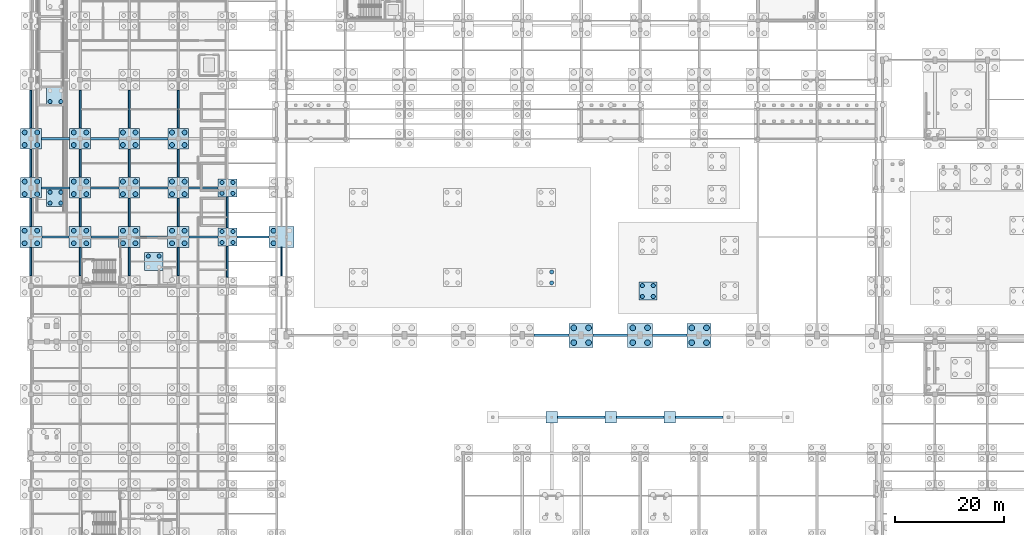
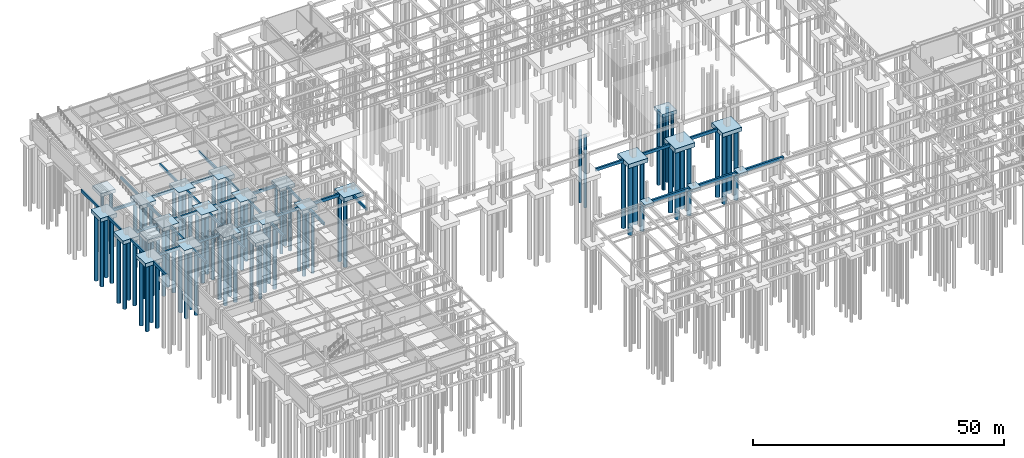
# One storey, part 4 of 33: 84 piles, 62 footings.
"""IFC4 building model written with IfcOpenShell, lengths in metres."""

from ifc_helpers import new_model, si_unit, direction, frame, origin, origin_2d, place, context, subcontext, project, spatial, rectangle, circle, extrude, material, material_profile, profile_set, type_object, element, save


model = new_model("IFC4")

# Units and contexts
model_context = context("Model", 3, precision=1e-05, world=origin(), true_north=direction((0.0, 1.0)))
body_context = subcontext(model_context, "Body", "Model", "MODEL_VIEW")
ifc_project = project(units=[si_unit("LENGTHUNIT", "METRE"), si_unit("AREAUNIT", "SQUARE_METRE"), si_unit("VOLUMEUNIT", "CUBIC_METRE"), si_unit("PLANEANGLEUNIT", "RADIAN"), si_unit("MASSUNIT", "GRAM", prefix="KILO")], contexts=[model_context])

# Site, building, storey
site_placement = place(None, origin())
site = spatial("IfcSite", under=ifc_project, at=site_placement, CompositionType="ELEMENT")
building_placement = place(site_placement, origin())
building = spatial("IfcBuilding", under=site, at=building_placement, Name="Suirenkawa Promenade Aquatics Centre", CompositionType="ELEMENT")
storey_placement = place(building_placement, frame((0.0, 0.0, -4.800048828125)))
storey = spatial("IfcBuildingStorey", under=building, at=storey_placement, Name="B1", CompositionType="ELEMENT", Elevation=-4.800048828125)

# Footings
ifc_material = material(Name="Concrete M35", Category="concrete")
footing_type_1 = type_object("IfcFootingType", Name="FT-GB-350x650", PredefinedType="FOOTING_BEAM", material=ifc_material)
for number, where, z_axis, x_axis, name in (
    (1, (0.0, 63.89990234375, -0.64990234375), (0.0, 0.0, 1.0), (0.0, 1.0, 0.0), "Ground tie beam GB-06 GB-0169"),
    (2, (0.0, 72.89990234375, -0.64990234375), (0.0, 0.0, 1.0), (0.0, 1.0, 0.0), "Ground tie beam GB-06 GB-0170"),
    (3, (0.0, 81.89990234375, -0.64990234375), (0.0, 0.0, 1.0), (0.0, 1.0, 0.0), "Ground tie beam GB-06 GB-0171"),
):
    element("IfcFooting", number, at=place(storey_placement, frame(where, z_axis=z_axis, x_axis=x_axis)), inside=storey, type_object=footing_type_1, Name=name, PredefinedType="FOOTING_BEAM", context=body_context, shape_type="SweptSolid", body=[
        extrude(rectangle(XDim=5.199951171875, YDim=0.35009765625, at=origin_2d()), origin(), (0.0, 0.0, 1.0), 0.64990234375),
    ])
footing_1_placement = place(storey_placement, frame((0.0, 91.800048828125, -0.64990234375), z_axis=(0.0, 0.0, 1.0), x_axis=(0.0, 1.0, 0.0)))
element("IfcFooting", 4, at=footing_1_placement, inside=storey, type_object=footing_type_1, Name="Ground tie beam GB-06 GB-0172", PredefinedType="FOOTING_BEAM", context=body_context, shape_type="SweptSolid", body=[
    extrude(rectangle(XDim=7.0, YDim=0.35009765625, at=origin_2d()), origin(), (0.0, 0.0, 1.0), 0.64990234375),
])
for number, where, z_axis, x_axis, name in (
    (5, (9.0, 63.89990234375, -0.64990234375), (0.0, 0.0, 1.0), (0.0, 1.0, 0.0), "Ground tie beam GB-06 GB-0182"),
    (6, (9.0, 72.89990234375, -0.64990234375), (0.0, 0.0, 1.0), (0.0, 1.0, 0.0), "Ground tie beam GB-06 GB-0183"),
    (7, (9.0, 81.89990234375, -0.64990234375), (0.0, 0.0, 1.0), (0.0, 1.0, 0.0), "Ground tie beam GB-06 GB-0184"),
):
    element("IfcFooting", number, at=place(storey_placement, frame(where, z_axis=z_axis, x_axis=x_axis)), inside=storey, type_object=footing_type_1, Name=name, PredefinedType="FOOTING_BEAM", context=body_context, shape_type="SweptSolid", body=[
        extrude(rectangle(XDim=5.199951171875, YDim=0.35009765625, at=origin_2d()), origin(), (0.0, 0.0, 1.0), 0.64990234375),
    ])
footing_2_placement = place(storey_placement, frame((9.0, 91.800048828125, -0.64990234375), z_axis=(0.0, 0.0, 1.0), x_axis=(0.0, 1.0, 0.0)))
element("IfcFooting", 8, at=footing_2_placement, inside=storey, type_object=footing_type_1, Name="Ground tie beam GB-06 GB-0185", PredefinedType="FOOTING_BEAM", context=body_context, shape_type="SweptSolid", body=[
    extrude(rectangle(XDim=7.0, YDim=0.35009765625, at=origin_2d()), origin(), (0.0, 0.0, 1.0), 0.64990234375),
])
for number, where, z_axis, x_axis, name in (
    (9, (18.0, 63.89990234375, -0.64990234375), (0.0, 0.0, 1.0), (0.0, 1.0, 0.0), "Ground tie beam GB-06 GB-0195"),
    (10, (18.0, 72.89990234375, -0.64990234375), (0.0, 0.0, 1.0), (0.0, 1.0, 0.0), "Ground tie beam GB-06 GB-0196"),
    (11, (18.0, 81.89990234375, -0.64990234375), (0.0, 0.0, 1.0), (0.0, 1.0, 0.0), "Ground tie beam GB-06 GB-0197"),
):
    element("IfcFooting", number, at=place(storey_placement, frame(where, z_axis=z_axis, x_axis=x_axis)), inside=storey, type_object=footing_type_1, Name=name, PredefinedType="FOOTING_BEAM", context=body_context, shape_type="SweptSolid", body=[
        extrude(rectangle(XDim=5.199951171875, YDim=0.35009765625, at=origin_2d()), origin(), (0.0, 0.0, 1.0), 0.64990234375),
    ])
footing_3_placement = place(storey_placement, frame((18.0, 91.800048828125, -0.64990234375), z_axis=(0.0, 0.0, 1.0), x_axis=(0.0, 1.0, 0.0)))
element("IfcFooting", 12, at=footing_3_placement, inside=storey, type_object=footing_type_1, Name="Ground tie beam GB-06 GB-0198", PredefinedType="FOOTING_BEAM", context=body_context, shape_type="SweptSolid", body=[
    extrude(rectangle(XDim=7.0, YDim=0.35009765625, at=origin_2d()), origin(), (0.0, 0.0, 1.0), 0.64990234375),
])
for number, where, z_axis, x_axis, name in (
    (13, (27.0, 63.89990234375, -0.64990234375), (0.0, 0.0, 1.0), (0.0, 1.0, 0.0), "Ground tie beam GB-06 GB-0208"),
    (14, (27.0, 72.89990234375, -0.64990234375), (0.0, 0.0, 1.0), (0.0, 1.0, 0.0), "Ground tie beam GB-06 GB-0209"),
    (15, (27.0, 81.89990234375, -0.64990234375), (0.0, 0.0, 1.0), (0.0, 1.0, 0.0), "Ground tie beam GB-06 GB-0210"),
):
    element("IfcFooting", number, at=place(storey_placement, frame(where, z_axis=z_axis, x_axis=x_axis)), inside=storey, type_object=footing_type_1, Name=name, PredefinedType="FOOTING_BEAM", context=body_context, shape_type="SweptSolid", body=[
        extrude(rectangle(XDim=5.199951171875, YDim=0.35009765625, at=origin_2d()), origin(), (0.0, 0.0, 1.0), 0.64990234375),
    ])
footing_4_placement = place(storey_placement, frame((27.0, 91.800048828125, -0.64990234375), z_axis=(0.0, 0.0, 1.0), x_axis=(0.0, 1.0, 0.0)))
element("IfcFooting", 16, at=footing_4_placement, inside=storey, type_object=footing_type_1, Name="Ground tie beam GB-06 GB-0211", PredefinedType="FOOTING_BEAM", context=body_context, shape_type="SweptSolid", body=[
    extrude(rectangle(XDim=7.0, YDim=0.35009765625, at=origin_2d()), origin(), (0.0, 0.0, 1.0), 0.64990234375),
])
for number, where, z_axis, x_axis, name in (
    (17, (36.0, 63.89990234375, -0.64990234375), (0.0, 0.0, 1.0), (0.0, 1.0, 0.0), "Ground tie beam GB-06 GB-0221"),
    (18, (36.0, 72.89990234375, -0.64990234375), (0.0, 0.0, 1.0), (0.0, 1.0, 0.0), "Ground tie beam GB-06 GB-0222"),
):
    element("IfcFooting", number, at=place(storey_placement, frame(where, z_axis=z_axis, x_axis=x_axis)), inside=storey, type_object=footing_type_1, Name=name, PredefinedType="FOOTING_BEAM", context=body_context, shape_type="SweptSolid", body=[
        extrude(rectangle(XDim=5.699951171875, YDim=0.35009765625, at=origin_2d()), origin(), (0.0, 0.0, 1.0), 0.64990234375),
    ])
footing_5_placement = place(storey_placement, frame((45.89990234375, 63.89990234375, -0.64990234375), z_axis=(0.0, 0.0, 1.0), x_axis=(0.0, 1.0, 0.0)))
element("IfcFooting", 19, at=footing_5_placement, inside=storey, type_object=footing_type_1, Name="Ground tie beam GB-06 GB-0233", PredefinedType="FOOTING_BEAM", context=body_context, shape_type="SweptSolid", body=[
    extrude(rectangle(XDim=5.199951171875, YDim=0.35009765625, at=origin_2d()), origin(), (0.0, 0.0, 1.0), 0.64990234375),
])
footing_type_2 = type_object("IfcFootingType", Name="FT-GB-400x700", PredefinedType="FOOTING_BEAM", material=ifc_material)
footing_6_placement = place(storey_placement, frame((95.39990234375, 50.39990234375, -0.69970703125), z_axis=(0.0, 0.0, 1.0), x_axis=(1.0, 0.0, 0.0)))
element("IfcFooting", 20, at=footing_6_placement, inside=storey, type_object=footing_type_2, Name="Ground tie beam GB-01 GB-0091", PredefinedType="FOOTING_BEAM", context=body_context, shape_type="SweptSolid", body=[
    extrude(rectangle(XDim=6.39990234375, YDim=0.39990234375, at=origin_2d()), origin(), (0.0, 0.0, 1.0), 0.699951171875),
])
for number, where, z_axis, x_axis, name in (
    (21, (106.14990234375, 50.39990234375, -0.69970703125), (0.0, 0.0, 1.0), (1.0, 0.0, 0.0), "Ground tie beam GB-01 GB-0092"),
    (22, (117.050048828125, 50.39990234375, -0.69970703125), (0.0, 0.0, 1.0), (1.0, 0.0, 0.0), "Ground tie beam GB-01 GB-0093"),
):
    element("IfcFooting", number, at=place(storey_placement, frame(where, z_axis=z_axis, x_axis=x_axis)), inside=storey, type_object=footing_type_2, Name=name, PredefinedType="FOOTING_BEAM", context=body_context, shape_type="SweptSolid", body=[
        extrude(rectangle(XDim=6.300048828125, YDim=0.39990234375, at=origin_2d()), origin(), (0.0, 0.0, 1.0), 0.699951171875),
    ])
for number, where, z_axis, x_axis, name in (
    (23, (4.5, 68.39990234375, -0.69970703125), (0.0, 0.0, 1.0), (1.0, 0.0, 0.0), "Ground tie beam GB-01 GB-0101"),
    (24, (13.5, 68.39990234375, -0.69970703125), (0.0, 0.0, 1.0), (1.0, 0.0, 0.0), "Ground tie beam GB-01 GB-0102"),
    (25, (22.5, 68.39990234375, -0.69970703125), (0.0, 0.0, 1.0), (1.0, 0.0, 0.0), "Ground tie beam GB-01 GB-0103"),
):
    element("IfcFooting", number, at=place(storey_placement, frame(where, z_axis=z_axis, x_axis=x_axis)), inside=storey, type_object=footing_type_2, Name=name, PredefinedType="FOOTING_BEAM", context=body_context, shape_type="SweptSolid", body=[
        extrude(rectangle(XDim=5.0, YDim=0.39990234375, at=origin_2d()), origin(), (0.0, 0.0, 1.0), 0.699951171875),
    ])
footing_7_placement = place(storey_placement, frame((31.625, 68.39990234375, -0.69970703125), z_axis=(0.0, 0.0, 1.0), x_axis=(1.0, 0.0, 0.0)))
element("IfcFooting", 26, at=footing_7_placement, inside=storey, type_object=footing_type_2, Name="Ground tie beam GB-01 GB-0104", PredefinedType="FOOTING_BEAM", context=body_context, shape_type="SweptSolid", body=[
    extrude(rectangle(XDim=5.25, YDim=0.39990234375, at=origin_2d()), origin(), (0.0, 0.0, 1.0), 0.699951171875),
])
footing_8_placement = place(storey_placement, frame((40.699951171875, 68.39990234375, -0.69970703125), z_axis=(0.0, 0.0, 1.0), x_axis=(1.0, 0.0, 0.0)))
element("IfcFooting", 27, at=footing_8_placement, inside=storey, type_object=footing_type_2, Name="Ground tie beam GB-01 GB-0105", PredefinedType="FOOTING_BEAM", context=body_context, shape_type="SweptSolid", body=[
    extrude(rectangle(XDim=5.89990234375, YDim=0.39990234375, at=origin_2d()), origin(), (0.0, 0.0, 1.0), 0.699951171875),
])
for number, where, z_axis, x_axis, name in (
    (28, (4.5, 77.39990234375, -0.69970703125), (0.0, 0.0, 1.0), (1.0, 0.0, 0.0), "Ground tie beam GB-01 GB-0106"),
    (29, (13.5, 77.39990234375, -0.69970703125), (0.0, 0.0, 1.0), (1.0, 0.0, 0.0), "Ground tie beam GB-01 GB-0107"),
    (30, (22.5, 77.39990234375, -0.69970703125), (0.0, 0.0, 1.0), (1.0, 0.0, 0.0), "Ground tie beam GB-01 GB-0108"),
):
    element("IfcFooting", number, at=place(storey_placement, frame(where, z_axis=z_axis, x_axis=x_axis)), inside=storey, type_object=footing_type_2, Name=name, PredefinedType="FOOTING_BEAM", context=body_context, shape_type="SweptSolid", body=[
        extrude(rectangle(XDim=5.199951171875, YDim=0.39990234375, at=origin_2d()), origin(), (0.0, 0.0, 1.0), 0.699951171875),
    ])
footing_9_placement = place(storey_placement, frame((31.574951171875, 77.39990234375, -0.69970703125), z_axis=(0.0, 0.0, 1.0), x_axis=(1.0, 0.0, 0.0)))
element("IfcFooting", 31, at=footing_9_placement, inside=storey, type_object=footing_type_2, Name="Ground tie beam GB-01 GB-0109", PredefinedType="FOOTING_BEAM", context=body_context, shape_type="SweptSolid", body=[
    extrude(rectangle(XDim=5.35009765625, YDim=0.39990234375, at=origin_2d()), origin(), (0.0, 0.0, 1.0), 0.699951171875),
])
for number, where, z_axis, x_axis, name in (
    (32, (4.5, 86.39990234375, -0.69970703125), (0.0, 0.0, 1.0), (1.0, 0.0, 0.0), "Ground tie beam GB-01 GB-0111"),
    (33, (13.5, 86.39990234375, -0.69970703125), (0.0, 0.0, 1.0), (1.0, 0.0, 0.0), "Ground tie beam GB-01 GB-0112"),
    (34, (22.5, 86.39990234375, -0.69970703125), (0.0, 0.0, 1.0), (1.0, 0.0, 0.0), "Ground tie beam GB-01 GB-0113"),
):
    element("IfcFooting", number, at=place(storey_placement, frame(where, z_axis=z_axis, x_axis=x_axis)), inside=storey, type_object=footing_type_2, Name=name, PredefinedType="FOOTING_BEAM", context=body_context, shape_type="SweptSolid", body=[
        extrude(rectangle(XDim=5.199951171875, YDim=0.39990234375, at=origin_2d()), origin(), (0.0, 0.0, 1.0), 0.699951171875),
    ])
footing_type_3 = type_object("IfcFootingType", Name="FT-GB-450x750", PredefinedType="FOOTING_BEAM", material=ifc_material)
for number, where, z_axis, x_axis, name in (
    (35, (100.800048828125, 35.39990234375, -0.75), (0.0, 0.0, 1.0), (1.0, 0.0, 0.0), "Ground tie beam GB-02 GB-0068"),
    (36, (111.60009765625, 35.39990234375, -0.75), (0.0, 0.0, 1.0), (1.0, 0.0, 0.0), "Ground tie beam GB-02 GB-0069"),
    (37, (122.39990234375, 35.39990234375, -0.75), (0.0, 0.0, 1.0), (1.0, 0.0, 0.0), "Ground tie beam GB-02 GB-0070"),
):
    element("IfcFooting", number, at=place(storey_placement, frame(where, z_axis=z_axis, x_axis=x_axis)), inside=storey, type_object=footing_type_3, Name=name, PredefinedType="FOOTING_BEAM", context=body_context, shape_type="SweptSolid", body=[
        extrude(rectangle(XDim=8.699951171875, YDim=0.449951171875, at=origin_2d()), origin(), (0.0, 0.0, 1.0), 0.75),
    ])
footing_type_4 = type_object("IfcFootingType", Name="FT-PAD-2100x2100x650", PredefinedType="PAD_FOOTING", material=ifc_material)
for number, where, z_axis, x_axis, name in (
    (38, (95.39990234375, 35.39990234375, -0.64990234375), (0.0, 0.0, 1.0), (1.0, 0.0, 0.0), "Foundation PF-02 CAP-083"),
    (39, (106.199951171875, 35.39990234375, -0.64990234375), (0.0, 0.0, 1.0), (1.0, 0.0, 0.0), "Foundation PF-02 CAP-084"),
    (40, (117.0, 35.39990234375, -0.64990234375), (0.0, 0.0, 1.0), (1.0, 0.0, 0.0), "Foundation PF-02 CAP-085"),
):
    element("IfcFooting", number, at=place(storey_placement, frame(where, z_axis=z_axis, x_axis=x_axis)), inside=storey, type_object=footing_type_4, Name=name, PredefinedType="PAD_FOOTING", context=body_context, shape_type="SweptSolid", body=[
        extrude(rectangle(XDim=2.10009765625, YDim=2.10009765625, at=origin_2d()), origin(), (0.0, 0.0, 1.0), 0.64990234375),
    ])
footing_type_5 = type_object("IfcFootingType", Name="FT-PC-3500x3300x880", PredefinedType="PILE_CAP", material=ifc_material)
for number, where, z_axis, x_axis, name in (
    (41, (36.0, 68.39990234375, -0.8798828125), (0.0, 0.0, 1.0), (1.0, 0.0, 0.0), "Foundation PC-03 CAP-131"),
    (42, (36.0, 77.39990234375, -0.8798828125), (0.0, 0.0, 1.0), (1.0, 0.0, 0.0), "Foundation PC-03 CAP-139"),
):
    element("IfcFooting", number, at=place(storey_placement, frame(where, z_axis=z_axis, x_axis=x_axis)), inside=storey, type_object=footing_type_5, Name=name, PredefinedType="PILE_CAP", context=body_context, shape_type="SweptSolid", body=[
        extrude(rectangle(XDim=3.5, YDim=3.300048828125, at=origin_2d()), origin(), (0.0, 0.0, 1.0), 0.8798828125),
    ])
footing_type_6 = type_object("IfcFootingType", Name="FT-PC-3800x3800x900", PredefinedType="PILE_CAP", material=ifc_material)
for number, where, z_axis, x_axis, name in (
    (43, (0.0, 77.39990234375, -0.89990234375), (0.0, 0.0, 1.0), (1.0, 0.0, 0.0), "Foundation PC-04 CAP-135"),
    (44, (9.0, 77.39990234375, -0.89990234375), (0.0, 0.0, 1.0), (1.0, 0.0, 0.0), "Foundation PC-04 CAP-136"),
    (45, (18.0, 77.39990234375, -0.89990234375), (0.0, 0.0, 1.0), (1.0, 0.0, 0.0), "Foundation PC-04 CAP-137"),
    (46, (27.0, 77.39990234375, -0.89990234375), (0.0, 0.0, 1.0), (1.0, 0.0, 0.0), "Foundation PC-04 CAP-138"),
    (47, (0.0, 86.39990234375, -0.89990234375), (0.0, 0.0, 1.0), (1.0, 0.0, 0.0), "Foundation PC-04 CAP-143"),
    (48, (9.0, 86.39990234375, -0.89990234375), (0.0, 0.0, 1.0), (1.0, 0.0, 0.0), "Foundation PC-04 CAP-144"),
    (49, (18.0, 86.39990234375, -0.89990234375), (0.0, 0.0, 1.0), (1.0, 0.0, 0.0), "Foundation PC-04 CAP-145"),
    (50, (27.0, 86.39990234375, -0.89990234375), (0.0, 0.0, 1.0), (1.0, 0.0, 0.0), "Foundation PC-04 CAP-146"),
):
    element("IfcFooting", number, at=place(storey_placement, frame(where, z_axis=z_axis, x_axis=x_axis)), inside=storey, type_object=footing_type_6, Name=name, PredefinedType="PILE_CAP", context=body_context, shape_type="SweptSolid", body=[
        extrude(rectangle(XDim=3.800048828125, YDim=3.800048828125, at=origin_2d()), origin(), (0.0, 0.0, 1.0), 0.89990234375),
    ])
footing_type_7 = type_object("IfcFootingType", Name="FT-PC-4000x3800x950", PredefinedType="PILE_CAP", material=ifc_material)
for number, where, z_axis, x_axis, name in (
    (51, (0.0, 68.39990234375, -0.94970703125), (0.0, 0.0, 1.0), (1.0, 0.0, 0.0), "Foundation PC-05 CAP-127"),
    (52, (9.0, 68.39990234375, -0.94970703125), (0.0, 0.0, 1.0), (1.0, 0.0, 0.0), "Foundation PC-05 CAP-128"),
    (53, (18.0, 68.39990234375, -0.94970703125), (0.0, 0.0, 1.0), (1.0, 0.0, 0.0), "Foundation PC-05 CAP-129"),
    (54, (27.0, 68.39990234375, -0.94970703125), (0.0, 0.0, 1.0), (1.0, 0.0, 0.0), "Foundation PC-05 CAP-130"),
):
    element("IfcFooting", number, at=place(storey_placement, frame(where, z_axis=z_axis, x_axis=x_axis)), inside=storey, type_object=footing_type_7, Name=name, PredefinedType="PILE_CAP", context=body_context, shape_type="SweptSolid", body=[
        extrude(rectangle(XDim=4.0, YDim=3.800048828125, at=origin_2d()), origin(), (0.0, 0.0, 1.0), 0.949951171875),
    ])
footing_type_8 = type_object("IfcFootingType", Name="FT-PC-4400x4400x1000", PredefinedType="PILE_CAP", material=ifc_material)
for number, where, z_axis, x_axis, name in (
    (55, (100.800048828125, 50.39990234375, -1.0), (0.0, 0.0, 1.0), (1.0, 0.0, 0.0), "Foundation PC-06 CAP-114"),
    (56, (122.39990234375, 50.39990234375, -1.0), (0.0, 0.0, 1.0), (1.0, 0.0, 0.0), "Foundation PC-06 CAP-116"),
):
    element("IfcFooting", number, at=place(storey_placement, frame(where, z_axis=z_axis, x_axis=x_axis)), inside=storey, type_object=footing_type_8, Name=name, PredefinedType="PILE_CAP", context=body_context, shape_type="SweptSolid", body=[
        extrude(rectangle(XDim=4.39990234375, YDim=4.39990234375, at=origin_2d()), origin(), (0.0, 0.0, 1.0), 1.0),
    ])
footing_type_9 = type_object("IfcFootingType", Name="FT-PC-4600x4400x1050", PredefinedType="PILE_CAP", material=ifc_material)
footing_10_placement = place(storey_placement, frame((111.60009765625, 50.39990234375, -1.0498046875), z_axis=(0.0, 0.0, 1.0), x_axis=(1.0, 0.0, 0.0)))
element("IfcFooting", 57, at=footing_10_placement, inside=storey, type_object=footing_type_9, Name="Foundation PC-07 CAP-115", PredefinedType="PILE_CAP", context=body_context, shape_type="SweptSolid", body=[
    extrude(rectangle(XDim=4.60009765625, YDim=4.39990234375, at=origin_2d()), origin(), (0.0, 0.0, 1.0), 1.050048828125),
])
footing_type_10 = type_object("IfcFootingType", Name="FT-PC-RAFT-3300x3300x850", PredefinedType="PILE_CAP", material=ifc_material)
for number, where, z_axis, x_axis, name in (
    (58, (4.5, 75.60009765625, -1.330078125), (0.0, 0.0, 1.0), (1.0, 0.0, 0.0), "Foundation PC-12 CAP-217"),
    (59, (4.5, 94.199951171875, -1.330078125), (0.0, 0.0, 1.0), (1.0, 0.0, 0.0), "Foundation PC-12 CAP-218"),
    (60, (22.5, 63.89990234375, -1.330078125), (0.0, 0.0, 1.0), (1.0, 0.0, 0.0), "Foundation PC-12 CAP-221"),
):
    element("IfcFooting", number, at=place(storey_placement, frame(where, z_axis=z_axis, x_axis=x_axis)), inside=storey, type_object=footing_type_10, Name=name, PredefinedType="PILE_CAP", context=body_context, shape_type="SweptSolid", body=[
        extrude(rectangle(XDim=3.300048828125, YDim=3.300048828125, at=origin_2d()), origin(), (0.0, 0.0, 1.0), 0.85009765625),
    ])
footing_type_11 = type_object("IfcFootingType", Name="FT-PC-TRAIN-3300x3300x850", PredefinedType="PILE_CAP", material=ifc_material)
footing_11_placement = place(storey_placement, frame((113.0, 58.5, 1.570068359375), z_axis=(0.0, 0.0, 1.0), x_axis=(1.0, 0.0, 0.0)))
element("IfcFooting", 61, at=footing_11_placement, inside=storey, type_object=footing_type_11, Name="Foundation PC-09 CAP-229", PredefinedType="PILE_CAP", context=body_context, shape_type="SweptSolid", body=[
    extrude(rectangle(XDim=3.300048828125, YDim=3.300048828125, at=origin_2d()), origin(), (0.0, 0.0, 1.0), 0.85009765625),
])
footing_type_12 = type_object("IfcFootingType", Name="FT-PCC-4500x3800x1050", PredefinedType="PILE_CAP", material=ifc_material)
footing_12_placement = place(storey_placement, frame((45.89990234375, 68.39990234375, -1.0498046875), z_axis=(0.0, 0.0, 1.0), x_axis=(1.0, 0.0, 0.0)))
element("IfcFooting", 62, at=footing_12_placement, inside=storey, type_object=footing_type_12, Name="Foundation PCC-01 CAP-132", PredefinedType="PILE_CAP", context=body_context, shape_type="SweptSolid", body=[
    extrude(rectangle(XDim=4.5, YDim=3.800048828125, at=origin_2d()), origin(), (0.0, 0.0, 1.0), 1.050048828125),
])

# Piles
ifc_material_profile_1 = material_profile(ifc_material, circle(Radius=0.52490234375, at=origin_2d()), Name="PILE D1050", Category="concrete")
ifc_profile_set_1 = profile_set([ifc_material_profile_1], Name="Concrete M35")
pile_type_1 = type_object("IfcPileType", Name="PT-BORED-1050", PredefinedType="BORED", material=ifc_profile_set_1)
for number, where, z_axis, x_axis, name in (
    (63, (99.449951171875, 49.050048828125, -0.89990234375), (0.0, 0.0, -1.0), (1.0, 0.0, 0.0), "Bored pile PL-04 PL-0413"),
    (64, (99.449951171875, 51.75, -0.89990234375), (0.0, 0.0, -1.0), (1.0, 0.0, 0.0), "Bored pile PL-04 PL-0414"),
    (65, (102.14990234375, 49.050048828125, -0.89990234375), (0.0, 0.0, -1.0), (1.0, 0.0, 0.0), "Bored pile PL-04 PL-0415"),
    (66, (102.14990234375, 51.75, -0.89990234375), (0.0, 0.0, -1.0), (1.0, 0.0, 0.0), "Bored pile PL-04 PL-0416"),
    (67, (110.25, 49.050048828125, -0.89990234375), (0.0, 0.0, -1.0), (1.0, 0.0, 0.0), "Bored pile PL-04 PL-0417"),
    (68, (110.25, 51.75, -0.89990234375), (0.0, 0.0, -1.0), (1.0, 0.0, 0.0), "Bored pile PL-04 PL-0418"),
    (69, (112.949951171875, 49.050048828125, -0.89990234375), (0.0, 0.0, -1.0), (1.0, 0.0, 0.0), "Bored pile PL-04 PL-0419"),
    (70, (112.949951171875, 51.75, -0.89990234375), (0.0, 0.0, -1.0), (1.0, 0.0, 0.0), "Bored pile PL-04 PL-0420"),
    (71, (121.050048828125, 49.050048828125, -0.89990234375), (0.0, 0.0, -1.0), (1.0, 0.0, 0.0), "Bored pile PL-04 PL-0421"),
    (72, (121.050048828125, 51.75, -0.89990234375), (0.0, 0.0, -1.0), (1.0, 0.0, 0.0), "Bored pile PL-04 PL-0422"),
    (73, (123.75, 49.050048828125, -0.89990234375), (0.0, 0.0, -1.0), (1.0, 0.0, 0.0), "Bored pile PL-04 PL-0423"),
    (74, (123.75, 51.75, -0.89990234375), (0.0, 0.0, -1.0), (1.0, 0.0, 0.0), "Bored pile PL-04 PL-0424"),
):
    element("IfcPile", number, at=place(storey_placement, frame(where, z_axis=z_axis, x_axis=x_axis)), inside=storey, type_object=pile_type_1, Name=name, PredefinedType="BORED", context=body_context, shape_type="SweptSolid", body=[
        extrude(circle(Radius=0.52490234375, at=origin_2d()), origin(), (0.0, 0.0, 1.0), 16.800048828125),
    ])
ifc_material_profile_2 = material_profile(ifc_material, circle(Radius=0.375, at=origin_2d()), Name="PILE D750", Category="concrete")
ifc_profile_set_2 = profile_set([ifc_material_profile_2], Name="Concrete M35")
pile_type_2 = type_object("IfcPileType", Name="PT-BORED-750", PredefinedType="BORED", material=ifc_profile_set_2)
for number, where, z_axis, x_axis, name in (
    (75, (35.0, 67.39990234375, -0.75), (0.0, 0.0, -1.0), (1.0, 0.0, 0.0), "Bored pile PL-02 PL-0481"),
    (76, (35.0, 69.39990234375, -0.75), (0.0, 0.0, -1.0), (1.0, 0.0, 0.0), "Bored pile PL-02 PL-0482"),
    (77, (37.0, 67.39990234375, -0.75), (0.0, 0.0, -1.0), (1.0, 0.0, 0.0), "Bored pile PL-02 PL-0483"),
    (78, (37.0, 69.39990234375, -0.75), (0.0, 0.0, -1.0), (1.0, 0.0, 0.0), "Bored pile PL-02 PL-0484"),
    (79, (35.0, 76.39990234375, -0.75), (0.0, 0.0, -1.0), (1.0, 0.0, 0.0), "Bored pile PL-02 PL-0513"),
    (80, (35.0, 78.39990234375, -0.75), (0.0, 0.0, -1.0), (1.0, 0.0, 0.0), "Bored pile PL-02 PL-0514"),
    (81, (37.0, 76.39990234375, -0.75), (0.0, 0.0, -1.0), (1.0, 0.0, 0.0), "Bored pile PL-02 PL-0515"),
    (82, (37.0, 78.39990234375, -0.75), (0.0, 0.0, -1.0), (1.0, 0.0, 0.0), "Bored pile PL-02 PL-0516"),
):
    element("IfcPile", number, at=place(storey_placement, frame(where, z_axis=z_axis, x_axis=x_axis)), inside=storey, type_object=pile_type_2, Name=name, PredefinedType="BORED", context=body_context, shape_type="SweptSolid", body=[
        extrude(circle(Radius=0.375, at=origin_2d()), origin(), (0.0, 0.0, 1.0), 15.60009765625),
    ])
for number, where, z_axis, x_axis, name in (
    (83, (3.5, 74.60009765625, -1.22998046875), (0.0, 0.0, -1.0), (1.0, 0.0, 0.0), "Bored pile PL-02 PL-0831"),
    (84, (3.5, 76.60009765625, -1.22998046875), (0.0, 0.0, -1.0), (1.0, 0.0, 0.0), "Bored pile PL-02 PL-0832"),
    (85, (5.5, 74.60009765625, -1.22998046875), (0.0, 0.0, -1.0), (1.0, 0.0, 0.0), "Bored pile PL-02 PL-0833"),
    (86, (5.5, 76.60009765625, -1.22998046875), (0.0, 0.0, -1.0), (1.0, 0.0, 0.0), "Bored pile PL-02 PL-0834"),
    (87, (3.5, 93.199951171875, -1.22998046875), (0.0, 0.0, -1.0), (1.0, 0.0, 0.0), "Bored pile PL-02 PL-0835"),
    (88, (5.5, 93.199951171875, -1.22998046875), (0.0, 0.0, -1.0), (1.0, 0.0, 0.0), "Bored pile PL-02 PL-0837"),
    (89, (21.5, 64.89990234375, -1.22998046875), (0.0, 0.0, -1.0), (1.0, 0.0, 0.0), "Bored pile PL-02 PL-0848"),
    (90, (23.5, 64.89990234375, -1.22998046875), (0.0, 0.0, -1.0), (1.0, 0.0, 0.0), "Bored pile PL-02 PL-0850"),
):
    element("IfcPile", number, at=place(storey_placement, frame(where, z_axis=z_axis, x_axis=x_axis)), inside=storey, type_object=pile_type_2, Name=name, PredefinedType="BORED", context=body_context, shape_type="SweptSolid", body=[
        extrude(circle(Radius=0.375, at=origin_2d()), origin(), (0.0, 0.0, 1.0), 15.1201171875),
    ])
for number, where, z_axis, x_axis, name in (
    (91, (95.39990234375, 60.0, 1.150146484375), (0.0, 0.0, -1.0), (1.0, 0.0, 0.0), "Bored pile PL-02 PL-0873"),
    (92, (95.39990234375, 62.0, 1.150146484375), (0.0, 0.0, -1.0), (1.0, 0.0, 0.0), "Bored pile PL-02 PL-0874"),
):
    element("IfcPile", number, at=place(storey_placement, frame(where, z_axis=z_axis, x_axis=x_axis)), inside=storey, type_object=pile_type_2, Name=name, PredefinedType="BORED", context=body_context, shape_type="SweptSolid", body=[
        extrude(circle(Radius=0.375, at=origin_2d()), origin(), (0.0, 0.0, 1.0), 17.5),
    ])
for number, where, z_axis, x_axis, name in (
    (93, (112.0, 57.5, 1.670166015625), (0.0, 0.0, -1.0), (1.0, 0.0, 0.0), "Bored pile PL-02 PL-0879"),
    (94, (112.0, 59.5, 1.670166015625), (0.0, 0.0, -1.0), (1.0, 0.0, 0.0), "Bored pile PL-02 PL-0880"),
    (95, (114.0, 57.5, 1.670166015625), (0.0, 0.0, -1.0), (1.0, 0.0, 0.0), "Bored pile PL-02 PL-0881"),
    (96, (114.0, 59.5, 1.670166015625), (0.0, 0.0, -1.0), (1.0, 0.0, 0.0), "Bored pile PL-02 PL-0882"),
):
    element("IfcPile", number, at=place(storey_placement, frame(where, z_axis=z_axis, x_axis=x_axis)), inside=storey, type_object=pile_type_2, Name=name, PredefinedType="BORED", context=body_context, shape_type="SweptSolid", body=[
        extrude(circle(Radius=0.375, at=origin_2d()), origin(), (0.0, 0.0, 1.0), 18.02001953125),
    ])
ifc_material_profile_3 = material_profile(ifc_material, circle(Radius=0.449951171875, at=origin_2d()), Name="PILE D900", Category="concrete")
ifc_profile_set_3 = profile_set([ifc_material_profile_3], Name="Concrete M35")
pile_type_3 = type_object("IfcPileType", Name="PT-BORED-900", PredefinedType="BORED", material=ifc_profile_set_3)
for number, where, z_axis, x_axis, name in (
    (97, (-1.14990234375, 67.25, -0.800048828125), (0.0, 0.0, -1.0), (1.0, 0.0, 0.0), "Bored pile PL-03 PL-0465"),
    (98, (-1.14990234375, 69.550048828125, -0.800048828125), (0.0, 0.0, -1.0), (1.0, 0.0, 0.0), "Bored pile PL-03 PL-0466"),
    (99, (1.14990234375, 67.25, -0.800048828125), (0.0, 0.0, -1.0), (1.0, 0.0, 0.0), "Bored pile PL-03 PL-0467"),
    (100, (1.14990234375, 69.550048828125, -0.800048828125), (0.0, 0.0, -1.0), (1.0, 0.0, 0.0), "Bored pile PL-03 PL-0468"),
    (101, (7.85009765625, 67.25, -0.800048828125), (0.0, 0.0, -1.0), (1.0, 0.0, 0.0), "Bored pile PL-03 PL-0469"),
    (102, (7.85009765625, 69.550048828125, -0.800048828125), (0.0, 0.0, -1.0), (1.0, 0.0, 0.0), "Bored pile PL-03 PL-0470"),
    (103, (10.14990234375, 67.25, -0.800048828125), (0.0, 0.0, -1.0), (1.0, 0.0, 0.0), "Bored pile PL-03 PL-0471"),
    (104, (10.14990234375, 69.550048828125, -0.800048828125), (0.0, 0.0, -1.0), (1.0, 0.0, 0.0), "Bored pile PL-03 PL-0472"),
    (105, (16.85009765625, 67.25, -0.800048828125), (0.0, 0.0, -1.0), (1.0, 0.0, 0.0), "Bored pile PL-03 PL-0473"),
    (106, (16.85009765625, 69.550048828125, -0.800048828125), (0.0, 0.0, -1.0), (1.0, 0.0, 0.0), "Bored pile PL-03 PL-0474"),
    (107, (19.14990234375, 67.25, -0.800048828125), (0.0, 0.0, -1.0), (1.0, 0.0, 0.0), "Bored pile PL-03 PL-0475"),
    (108, (19.14990234375, 69.550048828125, -0.800048828125), (0.0, 0.0, -1.0), (1.0, 0.0, 0.0), "Bored pile PL-03 PL-0476"),
    (109, (25.85009765625, 67.25, -0.800048828125), (0.0, 0.0, -1.0), (1.0, 0.0, 0.0), "Bored pile PL-03 PL-0477"),
    (110, (25.85009765625, 69.550048828125, -0.800048828125), (0.0, 0.0, -1.0), (1.0, 0.0, 0.0), "Bored pile PL-03 PL-0478"),
    (111, (28.14990234375, 67.25, -0.800048828125), (0.0, 0.0, -1.0), (1.0, 0.0, 0.0), "Bored pile PL-03 PL-0479"),
    (112, (28.14990234375, 69.550048828125, -0.800048828125), (0.0, 0.0, -1.0), (1.0, 0.0, 0.0), "Bored pile PL-03 PL-0480"),
    (113, (-1.14990234375, 76.25, -0.800048828125), (0.0, 0.0, -1.0), (1.0, 0.0, 0.0), "Bored pile PL-03 PL-0497"),
    (114, (-1.14990234375, 78.550048828125, -0.800048828125), (0.0, 0.0, -1.0), (1.0, 0.0, 0.0), "Bored pile PL-03 PL-0498"),
    (115, (1.14990234375, 76.25, -0.800048828125), (0.0, 0.0, -1.0), (1.0, 0.0, 0.0), "Bored pile PL-03 PL-0499"),
    (116, (1.14990234375, 78.550048828125, -0.800048828125), (0.0, 0.0, -1.0), (1.0, 0.0, 0.0), "Bored pile PL-03 PL-0500"),
    (117, (7.85009765625, 76.25, -0.800048828125), (0.0, 0.0, -1.0), (1.0, 0.0, 0.0), "Bored pile PL-03 PL-0501"),
    (118, (7.85009765625, 78.550048828125, -0.800048828125), (0.0, 0.0, -1.0), (1.0, 0.0, 0.0), "Bored pile PL-03 PL-0502"),
    (119, (10.14990234375, 76.25, -0.800048828125), (0.0, 0.0, -1.0), (1.0, 0.0, 0.0), "Bored pile PL-03 PL-0503"),
    (120, (10.14990234375, 78.550048828125, -0.800048828125), (0.0, 0.0, -1.0), (1.0, 0.0, 0.0), "Bored pile PL-03 PL-0504"),
    (121, (16.85009765625, 76.25, -0.800048828125), (0.0, 0.0, -1.0), (1.0, 0.0, 0.0), "Bored pile PL-03 PL-0505"),
    (122, (16.85009765625, 78.550048828125, -0.800048828125), (0.0, 0.0, -1.0), (1.0, 0.0, 0.0), "Bored pile PL-03 PL-0506"),
    (123, (19.14990234375, 76.25, -0.800048828125), (0.0, 0.0, -1.0), (1.0, 0.0, 0.0), "Bored pile PL-03 PL-0507"),
    (124, (19.14990234375, 78.550048828125, -0.800048828125), (0.0, 0.0, -1.0), (1.0, 0.0, 0.0), "Bored pile PL-03 PL-0508"),
    (125, (25.85009765625, 76.25, -0.800048828125), (0.0, 0.0, -1.0), (1.0, 0.0, 0.0), "Bored pile PL-03 PL-0509"),
    (126, (25.85009765625, 78.550048828125, -0.800048828125), (0.0, 0.0, -1.0), (1.0, 0.0, 0.0), "Bored pile PL-03 PL-0510"),
    (127, (28.14990234375, 76.25, -0.800048828125), (0.0, 0.0, -1.0), (1.0, 0.0, 0.0), "Bored pile PL-03 PL-0511"),
    (128, (28.14990234375, 78.550048828125, -0.800048828125), (0.0, 0.0, -1.0), (1.0, 0.0, 0.0), "Bored pile PL-03 PL-0512"),
    (129, (-1.14990234375, 85.25, -0.800048828125), (0.0, 0.0, -1.0), (1.0, 0.0, 0.0), "Bored pile PL-03 PL-0529"),
    (130, (-1.14990234375, 87.550048828125, -0.800048828125), (0.0, 0.0, -1.0), (1.0, 0.0, 0.0), "Bored pile PL-03 PL-0530"),
    (131, (1.14990234375, 85.25, -0.800048828125), (0.0, 0.0, -1.0), (1.0, 0.0, 0.0), "Bored pile PL-03 PL-0531"),
    (132, (1.14990234375, 87.550048828125, -0.800048828125), (0.0, 0.0, -1.0), (1.0, 0.0, 0.0), "Bored pile PL-03 PL-0532"),
    (133, (7.85009765625, 85.25, -0.800048828125), (0.0, 0.0, -1.0), (1.0, 0.0, 0.0), "Bored pile PL-03 PL-0533"),
    (134, (7.85009765625, 87.550048828125, -0.800048828125), (0.0, 0.0, -1.0), (1.0, 0.0, 0.0), "Bored pile PL-03 PL-0534"),
    (135, (10.14990234375, 85.25, -0.800048828125), (0.0, 0.0, -1.0), (1.0, 0.0, 0.0), "Bored pile PL-03 PL-0535"),
    (136, (10.14990234375, 87.550048828125, -0.800048828125), (0.0, 0.0, -1.0), (1.0, 0.0, 0.0), "Bored pile PL-03 PL-0536"),
    (137, (16.85009765625, 85.25, -0.800048828125), (0.0, 0.0, -1.0), (1.0, 0.0, 0.0), "Bored pile PL-03 PL-0537"),
    (138, (16.85009765625, 87.550048828125, -0.800048828125), (0.0, 0.0, -1.0), (1.0, 0.0, 0.0), "Bored pile PL-03 PL-0538"),
    (139, (19.14990234375, 85.25, -0.800048828125), (0.0, 0.0, -1.0), (1.0, 0.0, 0.0), "Bored pile PL-03 PL-0539"),
    (140, (19.14990234375, 87.550048828125, -0.800048828125), (0.0, 0.0, -1.0), (1.0, 0.0, 0.0), "Bored pile PL-03 PL-0540"),
    (141, (25.85009765625, 85.25, -0.800048828125), (0.0, 0.0, -1.0), (1.0, 0.0, 0.0), "Bored pile PL-03 PL-0541"),
    (142, (25.85009765625, 87.550048828125, -0.800048828125), (0.0, 0.0, -1.0), (1.0, 0.0, 0.0), "Bored pile PL-03 PL-0542"),
    (143, (28.14990234375, 85.25, -0.800048828125), (0.0, 0.0, -1.0), (1.0, 0.0, 0.0), "Bored pile PL-03 PL-0543"),
    (144, (28.14990234375, 87.550048828125, -0.800048828125), (0.0, 0.0, -1.0), (1.0, 0.0, 0.0), "Bored pile PL-03 PL-0544"),
):
    element("IfcPile", number, at=place(storey_placement, frame(where, z_axis=z_axis, x_axis=x_axis)), inside=storey, type_object=pile_type_3, Name=name, PredefinedType="BORED", context=body_context, shape_type="SweptSolid", body=[
        extrude(circle(Radius=0.449951171875, at=origin_2d()), origin(), (0.0, 0.0, 1.0), 16.199951171875),
    ])
ifc_material_profile_4 = material_profile(ifc_material, circle(Radius=0.449951171875, at=origin_2d()), Name="PILE D900", Category="concrete")
ifc_profile_set_4 = profile_set([ifc_material_profile_4], Name="Concrete M35")
pile_type_4 = type_object("IfcPileType", Name="PT-BORED-900B", PredefinedType="BORED", material=ifc_profile_set_4)
for number, where, z_axis, x_axis, name in (
    (145, (44.449951171875, 67.25, -0.949951171875), (0.0, 0.0, -1.0), (1.0, 0.0, 0.0), "Bored pile PL-03B PL-0485"),
    (146, (44.449951171875, 69.550048828125, -0.949951171875), (0.0, 0.0, -1.0), (1.0, 0.0, 0.0), "Bored pile PL-03B PL-0486"),
):
    element("IfcPile", number, at=place(storey_placement, frame(where, z_axis=z_axis, x_axis=x_axis)), inside=storey, type_object=pile_type_4, Name=name, PredefinedType="BORED", context=body_context, shape_type="SweptSolid", body=[
        extrude(circle(Radius=0.449951171875, at=origin_2d()), origin(), (0.0, 0.0, 1.0), 16.39990234375),
    ])

save(model, "model.ifc")
